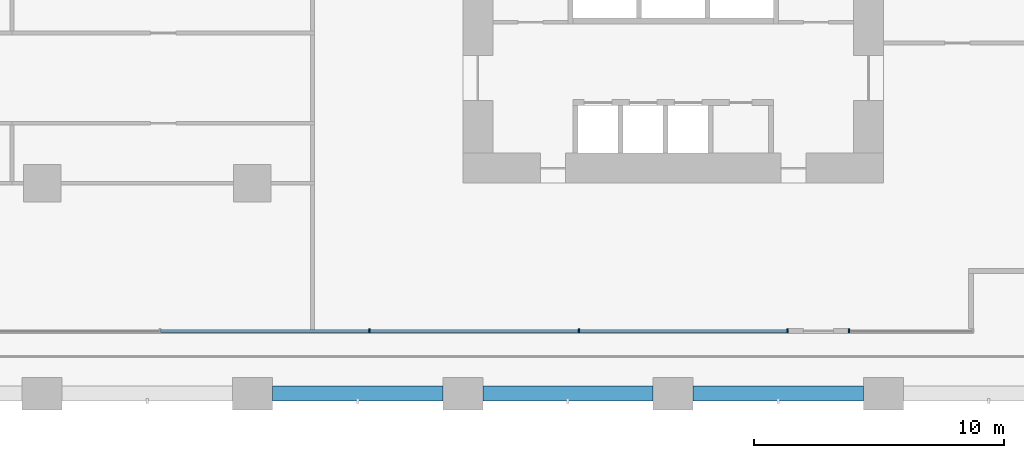
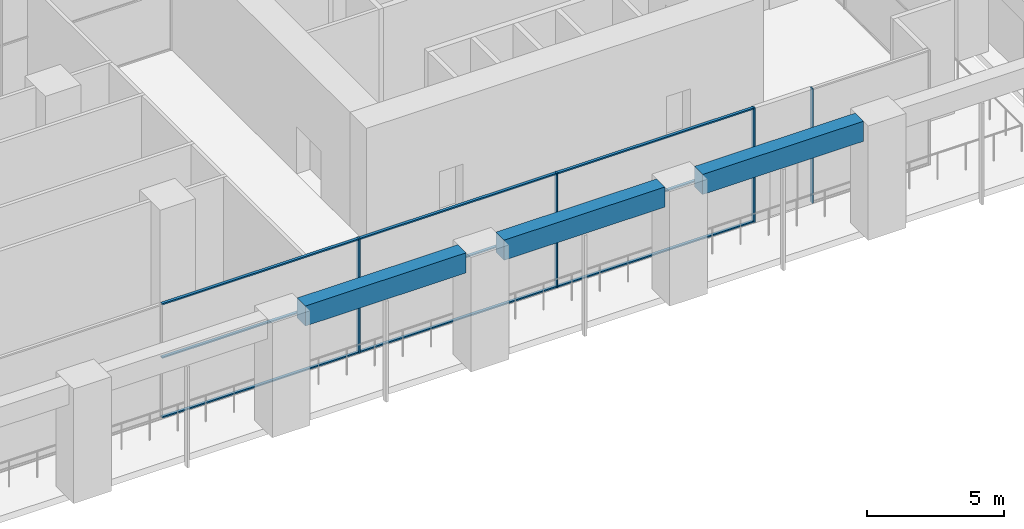
# One storey, part 6 of 32: 13 members, 3 beams, 2 elements without a shape of their own.
"""IFC4 building model written with IfcOpenShell, lengths in metres."""

from ifc_helpers import new_model, si_unit, direction, frame, origin, origin_2d, place, context, subcontext, project, spatial, rectangle, extrude, material, material_profile, profile_set, type_object, element, aggregate, save


model = new_model("IFC4")

# Units and contexts
model_context = context("Model", 3, precision=1e-05, world=origin(), true_north=direction((0.0, 1.0)))
body_context = subcontext(model_context, "Body", "Model", "MODEL_VIEW")
ifc_project = project(units=[si_unit("LENGTHUNIT", "METRE"), si_unit("AREAUNIT", "SQUARE_METRE"), si_unit("VOLUMEUNIT", "CUBIC_METRE"), si_unit("PLANEANGLEUNIT", "RADIAN"), si_unit("MASSUNIT", "GRAM", prefix="KILO")], contexts=[model_context])

# Site, building, storey
site_placement = place(None, origin())
site = spatial("IfcSite", under=ifc_project, at=site_placement, CompositionType="ELEMENT")
building_placement = place(site_placement, origin())
building = spatial("IfcBuilding", under=site, at=building_placement, Name="Vermilion Gate Residences", CompositionType="ELEMENT")
storey_placement = place(building_placement, frame((0.0, 0.0, 19.800048828125)))
storey = spatial("IfcBuildingStorey", under=building, at=storey_placement, Name="L03", CompositionType="ELEMENT", Elevation=19.800048828125)

# Curtain wall, members
ifc_material_1 = material(Name="Aluminium and glass", Category="aluminium")
curtain_wall_type = type_object("IfcCurtainWallType", Name="AMENITY GLAZING CURTAIN WALL", PredefinedType="NOTDEFINED", material=ifc_material_1)
curtain_wall_1_placement = place(storey_placement, origin())
curtain_wall_1 = element("IfcCurtainWall", 1, at=curtain_wall_1_placement, inside=storey, type_object=curtain_wall_type, Name="Amenity Glazing 60", PredefinedType="NOTDEFINED")
ifc_material_2 = material(Name="Aluminium", Category="aluminium")
ifc_material_profile_1 = material_profile(ifc_material_2, rectangle(XDim=0.159912109375, YDim=0.06005859375, at=origin_2d()), Name="MULLION 60 X 160")
ifc_profile_set_1 = profile_set([ifc_material_profile_1], Name="Aluminium")
member_type_1 = type_object("IfcMemberType", Name="AMENITY GLAZING MULLION 60 X 160", PredefinedType="MULLION", material=ifc_profile_set_1)
member_1_placement = place(storey_placement, frame((38.2666015625, 2.5, 0.0), z_axis=(0.0, 0.0, 1.0), x_axis=(0.0, 1.0, 0.0)))
member_1 = element("IfcMember", 2, at=member_1_placement, type_object=member_type_1, Name="ECW2 mullion 5", PredefinedType="MULLION", context=body_context, shape_type="SweptSolid", body=[
    extrude(rectangle(XDim=0.159912109375, YDim=0.06005859375, at=origin_2d()), origin(), (0.0, 0.0, 1.0), 5.119873046875),
])
member_2_placement = place(storey_placement, frame((46.63330078125, 2.5, 0.0), z_axis=(0.0, 0.0, 1.0), x_axis=(0.0, 1.0, 0.0)))
member_2 = element("IfcMember", 3, at=member_2_placement, type_object=member_type_1, Name="ECW2 mullion 6", PredefinedType="MULLION", context=body_context, shape_type="SweptSolid", body=[
    extrude(rectangle(XDim=0.159912109375, YDim=0.06005859375, at=origin_2d()), origin(), (0.0, 0.0, 1.0), 5.119873046875),
])
member_3_placement = place(storey_placement, frame((54.969970703125, 2.5, 0.0), z_axis=(0.0, 0.0, 1.0), x_axis=(0.0, 1.0, 0.0)))
member_3 = element("IfcMember", 4, at=member_3_placement, type_object=member_type_1, Name="ECW2 mullion 7", PredefinedType="MULLION", context=body_context, shape_type="SweptSolid", body=[
    extrude(rectangle(XDim=0.159912109375, YDim=0.06005859375, at=origin_2d()), origin(), (0.0, 0.0, 1.0), 5.119873046875),
])

# Curtain wall, member
curtain_wall_2_placement = place(storey_placement, origin())
curtain_wall_2 = element("IfcCurtainWall", 5, at=curtain_wall_2_placement, inside=storey, type_object=curtain_wall_type, Name="Amenity Glazing 62", PredefinedType="NOTDEFINED")
member_4_placement = place(storey_placement, frame((57.429931640625, 2.5, 0.0), z_axis=(0.0, 0.0, 1.0), x_axis=(0.0, 1.0, 0.0)))
member_4 = element("IfcMember", 6, at=member_4_placement, type_object=member_type_1, Name="ECW2 mullion 1", PredefinedType="MULLION", context=body_context, shape_type="SweptSolid", body=[
    extrude(rectangle(XDim=0.159912109375, YDim=0.06005859375, at=origin_2d()), origin(), (0.0, 0.0, 1.0), 5.119873046875),
])
aggregate(curtain_wall_2, [member_4])

# Member
ifc_material_3 = material(Name="Aluminium", Category="aluminium")
ifc_material_profile_2 = material_profile(ifc_material_3, rectangle(XDim=0.1201171875, YDim=0.06005859375, at=origin_2d()), Name="TRANSOM 60 X 120")
ifc_profile_set_2 = profile_set([ifc_material_profile_2], Name="Aluminium")
member_type_2 = type_object("IfcMemberType", Name="AMENITY GLAZING TRANSOM 60 X 120", PredefinedType="MULLION", material=ifc_profile_set_2)
member_5_placement = place(storey_placement, frame((29.929931640625, 2.5, 0.030029296875), z_axis=(1.0, 0.0, 0.0), x_axis=(0.0, 1.0, 0.0)))
member_5 = element("IfcMember", 7, at=member_5_placement, type_object=member_type_2, Name="ECW2 transom 4.1", PredefinedType="MULLION", context=body_context, shape_type="SweptSolid", body=[
    extrude(rectangle(XDim=0.1201171875, YDim=0.06005859375, at=origin_2d()), origin(), (0.0, 0.0, 1.0), 8.306640625),
])

member_6_placement = place(storey_placement, frame((29.929931640625, 2.5, 2.699951171875), z_axis=(1.0, 0.0, 0.0), x_axis=(0.0, 1.0, 0.0)))
member_6 = element("IfcMember", 8, at=member_6_placement, type_object=member_type_2, Name="ECW2 transom 4.2", PredefinedType="MULLION", context=body_context, shape_type="SweptSolid", body=[
    extrude(rectangle(XDim=0.1201171875, YDim=0.06005859375, at=origin_2d()), origin(), (0.0, 0.0, 1.0), 8.306640625),
])

member_7_placement = place(storey_placement, frame((29.929931640625, 2.5, 5.08984375), z_axis=(1.0, 0.0, 0.0), x_axis=(0.0, 1.0, 0.0)))
member_7 = element("IfcMember", 9, at=member_7_placement, type_object=member_type_2, Name="ECW2 transom 4.3", PredefinedType="MULLION", context=body_context, shape_type="SweptSolid", body=[
    extrude(rectangle(XDim=0.1201171875, YDim=0.06005859375, at=origin_2d()), origin(), (0.0, 0.0, 1.0), 8.306640625),
])

member_8_placement = place(storey_placement, frame((38.296630859375, 2.5, 0.030029296875), z_axis=(1.0, 0.0, 0.0), x_axis=(0.0, 1.0, 0.0)))
member_8 = element("IfcMember", 10, at=member_8_placement, type_object=member_type_2, Name="ECW2 transom 5.1", PredefinedType="MULLION", context=body_context, shape_type="SweptSolid", body=[
    extrude(rectangle(XDim=0.1201171875, YDim=0.06005859375, at=origin_2d()), origin(), (0.0, 0.0, 1.0), 8.306640625),
])

member_9_placement = place(storey_placement, frame((38.296630859375, 2.5, 2.699951171875), z_axis=(1.0, 0.0, 0.0), x_axis=(0.0, 1.0, 0.0)))
member_9 = element("IfcMember", 11, at=member_9_placement, type_object=member_type_2, Name="ECW2 transom 5.2", PredefinedType="MULLION", context=body_context, shape_type="SweptSolid", body=[
    extrude(rectangle(XDim=0.1201171875, YDim=0.06005859375, at=origin_2d()), origin(), (0.0, 0.0, 1.0), 8.306640625),
])

member_10_placement = place(storey_placement, frame((38.296630859375, 2.5, 5.08984375), z_axis=(1.0, 0.0, 0.0), x_axis=(0.0, 1.0, 0.0)))
member_10 = element("IfcMember", 12, at=member_10_placement, type_object=member_type_2, Name="ECW2 transom 5.3", PredefinedType="MULLION", context=body_context, shape_type="SweptSolid", body=[
    extrude(rectangle(XDim=0.1201171875, YDim=0.06005859375, at=origin_2d()), origin(), (0.0, 0.0, 1.0), 8.306640625),
])

member_11_placement = place(storey_placement, frame((46.663330078125, 2.5, 0.030029296875), z_axis=(1.0, 0.0, 0.0), x_axis=(0.0, 1.0, 0.0)))
member_11 = element("IfcMember", 13, at=member_11_placement, type_object=member_type_2, Name="ECW2 transom 6.1", PredefinedType="MULLION", context=body_context, shape_type="SweptSolid", body=[
    extrude(rectangle(XDim=0.1201171875, YDim=0.06005859375, at=origin_2d()), origin(), (0.0, 0.0, 1.0), 8.276611328125),
])

member_12_placement = place(storey_placement, frame((46.663330078125, 2.5, 2.699951171875), z_axis=(1.0, 0.0, 0.0), x_axis=(0.0, 1.0, 0.0)))
member_12 = element("IfcMember", 14, at=member_12_placement, type_object=member_type_2, Name="ECW2 transom 6.2", PredefinedType="MULLION", context=body_context, shape_type="SweptSolid", body=[
    extrude(rectangle(XDim=0.1201171875, YDim=0.06005859375, at=origin_2d()), origin(), (0.0, 0.0, 1.0), 8.276611328125),
])

member_13_placement = place(storey_placement, frame((46.663330078125, 2.5, 5.08984375), z_axis=(1.0, 0.0, 0.0), x_axis=(0.0, 1.0, 0.0)))
member_13 = element("IfcMember", 15, at=member_13_placement, type_object=member_type_2, Name="ECW2 transom 6.3", PredefinedType="MULLION", context=body_context, shape_type="SweptSolid", body=[
    extrude(rectangle(XDim=0.1201171875, YDim=0.06005859375, at=origin_2d()), origin(), (0.0, 0.0, 1.0), 8.276611328125),
])

aggregate(curtain_wall_1, [member_1, member_2, member_3, member_5, member_6, member_7, member_8, member_9, member_10, member_11, member_12, member_13])

# Beams
ifc_material_4 = material(Name="Concrete C60 red-oxide pigmented", Category="concrete")
ifc_material_profile_3 = material_profile(ifc_material_4, rectangle(XDim=0.60009765625, YDim=0.89990234375, at=origin_2d()), Name="RC-600x900")
ifc_profile_set_3 = profile_set([ifc_material_profile_3], Name="Concrete C60 red-oxide pigmented")
beam_type = type_object("IfcBeamType", Name="RC EDGE BEAM 600 X 900 C60", PredefinedType="BEAM", material=ifc_profile_set_3)
for number, where, z_axis, x_axis, name in (
    (16, (34.39990234375, 0.0, 4.669921875), (1.0, 0.0, 0.0), (0.0, 1.0, 0.0), "Edge beam L03 16"),
    (17, (42.800048828125, 0.0, 4.669921875), (1.0, 0.0, 0.0), (0.0, 1.0, 0.0), "Edge beam L03 18"),
    (18, (51.199951171875, 0.0, 4.669921875), (1.0, 0.0, 0.0), (0.0, 1.0, 0.0), "Edge beam L03 19"),
):
    element("IfcBeam", number, at=place(storey_placement, frame(where, z_axis=z_axis, x_axis=x_axis)), inside=storey, type_object=beam_type, Name=name, PredefinedType="BEAM", context=body_context, shape_type="SweptSolid", body=[
        extrude(rectangle(XDim=0.60009765625, YDim=0.89990234375, at=origin_2d()), origin(), (0.0, 0.0, 1.0), 6.800048828125),
    ])

save(model, "model.ifc")
